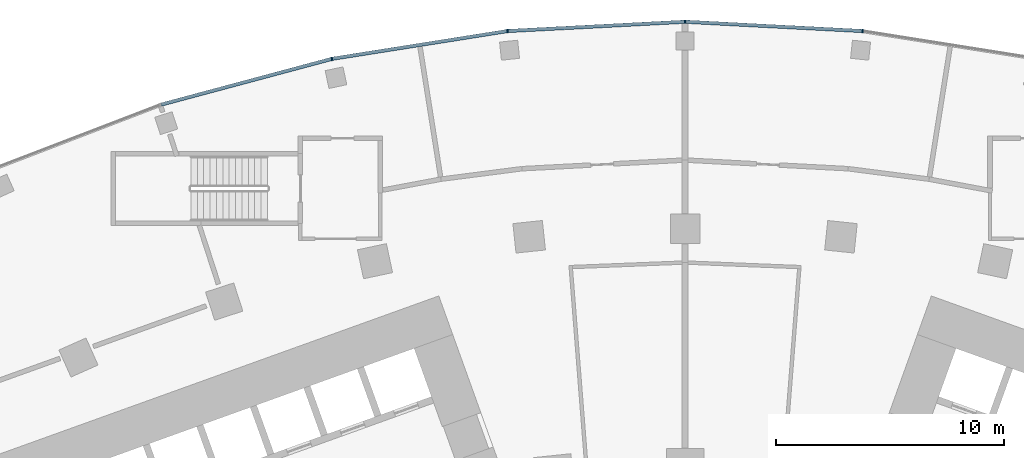
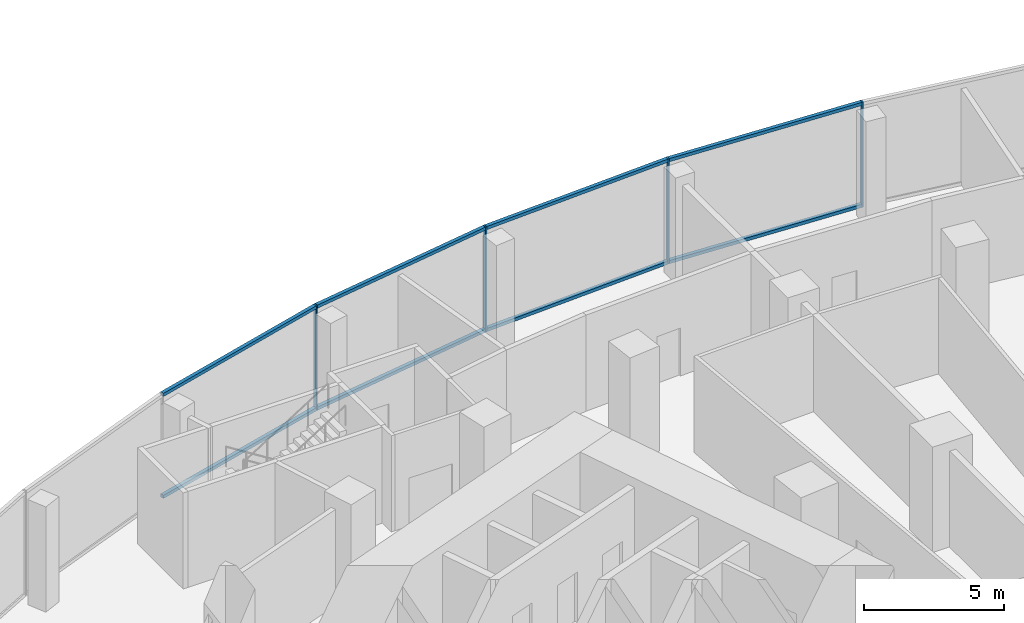
# One storey, part 14 of 40: 12 members, 1 element without a shape of its own.
"""IFC4 building model written with IfcOpenShell, lengths in metres."""

from ifc_helpers import new_model, si_unit, direction, frame, origin, origin_2d, place, context, subcontext, project, spatial, rectangle, extrude, material, layer, layer_set, material_profile, profile_set, type_object, element, aggregate, save


model = new_model("IFC4")

# Units and contexts
model_context = context("Model", 3, precision=1e-05, world=origin(), true_north=direction((0.0, 1.0)))
body_context = subcontext(model_context, "Body", "Model", "MODEL_VIEW")
ifc_project = project(units=[si_unit("LENGTHUNIT", "METRE"), si_unit("AREAUNIT", "SQUARE_METRE"), si_unit("VOLUMEUNIT", "CUBIC_METRE"), si_unit("PLANEANGLEUNIT", "RADIAN"), si_unit("MASSUNIT", "GRAM", prefix="KILO")], contexts=[model_context])

# Site, building, storey
site_placement = place(None, origin())
site = spatial("IfcSite", under=ifc_project, at=site_placement, CompositionType="ELEMENT")
building_placement = place(site_placement, origin())
building = spatial("IfcBuilding", under=site, at=building_placement, Name="Stone Belt Terrace Tower", CompositionType="ELEMENT")
storey_placement = place(building_placement, frame((0.0, 0.0, 7.0)))
storey = spatial("IfcBuildingStorey", under=building, at=storey_placement, Name="L01", CompositionType="ELEMENT", Elevation=7.0)

# Curtain wall, members
ifc_material = material(Name="Aluminium 6063-T6 anodised frame", Category="aluminium")
ifc_layer = layer(ifc_material, 0.14990234375)
ifc_layer_set = layer_set([ifc_layer], Name="CW-D podium shopfront")
curtain_wall_type = type_object("IfcCurtainWallType", Name="CW-D podium shopfront", PredefinedType="NOTDEFINED", material=ifc_layer_set)
curtain_wall_placement = place(storey_placement, origin())
curtain_wall = element("IfcCurtainWall", 1, at=curtain_wall_placement, inside=storey, type_object=curtain_wall_type, Name="CW-D convex face L01", PredefinedType="NOTDEFINED")
ifc_material_profile_1 = material_profile(ifc_material, rectangle(XDim=0.14990234375, YDim=0.06005859375, at=origin_2d()), Name="Aluminium 6063-T6 60x150")
ifc_profile_set_1 = profile_set([ifc_material_profile_1], Name="Aluminium 6063-T6 anodised frame")
member_type_1 = type_object("IfcMemberType", Name="CW-D mullion 60 x 150", PredefinedType="MULLION", material=ifc_profile_set_1)
member_1_placement = place(storey_placement, frame((7.795166015625, 74.16650390625, 0.0), z_axis=(0.0, 0.0, 1.0), x_axis=(-0.104528463268, -0.994521895368, 0.0)))
member_1 = element("IfcMember", 2, at=member_1_placement, type_object=member_type_1, Name="CW-D mullion 12", PredefinedType="MULLION", context=body_context, shape_type="SweptSolid", body=[
    extrude(rectangle(XDim=0.14990234375, YDim=0.06005859375, at=origin_2d()), origin(), (0.0, 0.0, 1.0), 4.60009765625),
])
member_2_placement = place(storey_placement, frame((0.0, 74.5751953125, 0.0), z_axis=(0.0, 0.0, 1.0), x_axis=(0.0, -1.0, 0.0)))
member_2 = element("IfcMember", 3, at=member_2_placement, type_object=member_type_1, Name="CW-D mullion 13", PredefinedType="MULLION", context=body_context, shape_type="SweptSolid", body=[
    extrude(rectangle(XDim=0.14990234375, YDim=0.06005859375, at=origin_2d()), origin(), (0.0, 0.0, 1.0), 4.60009765625),
])
member_3_placement = place(storey_placement, frame((-7.795166015625, 74.16650390625, 0.0), z_axis=(0.0, 0.0, 1.0), x_axis=(0.104528463268, -0.994521895368, 0.0)))
member_3 = element("IfcMember", 4, at=member_3_placement, type_object=member_type_1, Name="CW-D mullion 14", PredefinedType="MULLION", context=body_context, shape_type="SweptSolid", body=[
    extrude(rectangle(XDim=0.14990234375, YDim=0.06005859375, at=origin_2d()), origin(), (0.0, 0.0, 1.0), 4.60009765625),
])
member_4_placement = place(storey_placement, frame((-15.505126953125, 72.945556640625, 0.0), z_axis=(0.0, 0.0, 1.0), x_axis=(0.207911690818, -0.978147600734, 0.0)))
member_4 = element("IfcMember", 5, at=member_4_placement, type_object=member_type_1, Name="CW-D mullion 15", PredefinedType="MULLION", context=body_context, shape_type="SweptSolid", body=[
    extrude(rectangle(XDim=0.14990234375, YDim=0.06005859375, at=origin_2d()), origin(), (0.0, 0.0, 1.0), 4.60009765625),
])
ifc_material_profile_2 = material_profile(ifc_material, rectangle(XDim=0.14990234375, YDim=0.139892578125, at=origin_2d()), Name="Aluminium 6063-T6 150x140")
ifc_profile_set_2 = profile_set([ifc_material_profile_2], Name="Aluminium 6063-T6 anodised frame")
member_type_2 = type_object("IfcMemberType", Name="CW-D transom 140 x 150", PredefinedType="USERDEFINED", material=ifc_profile_set_2)
member_5_placement = place(storey_placement, frame((7.761474609375, 74.16845703125, 0.070068359375), z_axis=(-0.998630871779, 0.052310438058, 0.0), x_axis=(-0.052310438058, -0.998630871779, 0.0)))
member_5 = element("IfcMember", 6, at=member_5_placement, type_object=member_type_2, Name="CW-D transom 12.1", ObjectType="TRANSOM", PredefinedType="USERDEFINED", context=body_context, shape_type="SweptSolid", body=[
    extrude(rectangle(XDim=0.14990234375, YDim=0.139892578125, at=origin_2d()), origin(), (0.0, 0.0, 1.0), 7.738037109375),
])
member_6_placement = place(storey_placement, frame((7.761474609375, 74.16845703125, 4.530029296875), z_axis=(-0.998630871779, 0.052310438058, 0.0), x_axis=(-0.052310438058, -0.998630871779, 0.0)))
member_6 = element("IfcMember", 7, at=member_6_placement, type_object=member_type_2, Name="CW-D transom 12.2", ObjectType="TRANSOM", PredefinedType="USERDEFINED", context=body_context, shape_type="SweptSolid", body=[
    extrude(rectangle(XDim=0.14990234375, YDim=0.139892578125, at=origin_2d()), origin(), (0.0, 0.0, 1.0), 7.738037109375),
])
member_7_placement = place(storey_placement, frame((-0.033935546875, 74.5732421875, 0.070068359375), z_axis=(-0.998630871779, -0.052310438058, 0.0), x_axis=(0.052310438058, -0.998630871779, 0.0)))
member_7 = element("IfcMember", 8, at=member_7_placement, type_object=member_type_2, Name="CW-D transom 13.1", ObjectType="TRANSOM", PredefinedType="USERDEFINED", context=body_context, shape_type="SweptSolid", body=[
    extrude(rectangle(XDim=0.14990234375, YDim=0.139892578125, at=origin_2d()), origin(), (0.0, 0.0, 1.0), 7.738037109375),
])
member_8_placement = place(storey_placement, frame((-0.033935546875, 74.5732421875, 4.530029296875), z_axis=(-0.998630871779, -0.052310438058, 0.0), x_axis=(0.052310438058, -0.998630871779, 0.0)))
member_8 = element("IfcMember", 9, at=member_8_placement, type_object=member_type_2, Name="CW-D transom 13.2", ObjectType="TRANSOM", PredefinedType="USERDEFINED", context=body_context, shape_type="SweptSolid", body=[
    extrude(rectangle(XDim=0.14990234375, YDim=0.139892578125, at=origin_2d()), origin(), (0.0, 0.0, 1.0), 7.738037109375),
])
member_9_placement = place(storey_placement, frame((-7.82861328125, 74.161376953125, 0.070068359375), z_axis=(-0.987685334162, -0.156453445733, 0.0), x_axis=(0.156453445733, -0.987685334162, 0.0)))
member_9 = element("IfcMember", 10, at=member_9_placement, type_object=member_type_2, Name="CW-D transom 14.1", ObjectType="TRANSOM", PredefinedType="USERDEFINED", context=body_context, shape_type="SweptSolid", body=[
    extrude(rectangle(XDim=0.14990234375, YDim=0.139892578125, at=origin_2d()), origin(), (0.0, 0.0, 1.0), 7.73828125),
])
member_10_placement = place(storey_placement, frame((-7.82861328125, 74.161376953125, 4.530029296875), z_axis=(-0.987685334162, -0.156453445733, 0.0), x_axis=(0.156453445733, -0.987685334162, 0.0)))
member_10 = element("IfcMember", 11, at=member_10_placement, type_object=member_type_2, Name="CW-D transom 14.2", ObjectType="TRANSOM", PredefinedType="USERDEFINED", context=body_context, shape_type="SweptSolid", body=[
    extrude(rectangle(XDim=0.14990234375, YDim=0.139892578125, at=origin_2d()), origin(), (0.0, 0.0, 1.0), 7.73828125),
])
member_11_placement = place(storey_placement, frame((-15.537841796875, 72.936767578125, 0.070068359375), z_axis=(-0.965920024897, -0.258840695223, 0.0), x_axis=(0.258840695223, -0.965920024897, 0.0)))
member_11 = element("IfcMember", 12, at=member_11_placement, type_object=member_type_2, Name="CW-D transom 15.1", ObjectType="TRANSOM", PredefinedType="USERDEFINED", context=body_context, shape_type="SweptSolid", body=[
    extrude(rectangle(XDim=0.14990234375, YDim=0.139892578125, at=origin_2d()), origin(), (0.0, 0.0, 1.0), 7.738037109375),
])
member_12_placement = place(storey_placement, frame((-15.537841796875, 72.936767578125, 4.530029296875), z_axis=(-0.965920024897, -0.258840695223, 0.0), x_axis=(0.258840695223, -0.965920024897, 0.0)))
member_12 = element("IfcMember", 13, at=member_12_placement, type_object=member_type_2, Name="CW-D transom 15.2", ObjectType="TRANSOM", PredefinedType="USERDEFINED", context=body_context, shape_type="SweptSolid", body=[
    extrude(rectangle(XDim=0.14990234375, YDim=0.139892578125, at=origin_2d()), origin(), (0.0, 0.0, 1.0), 7.738037109375),
])
aggregate(curtain_wall, [member_1, member_2, member_3, member_4, member_5, member_6, member_7, member_8, member_9, member_10, member_11, member_12])

save(model, "model.ifc")
